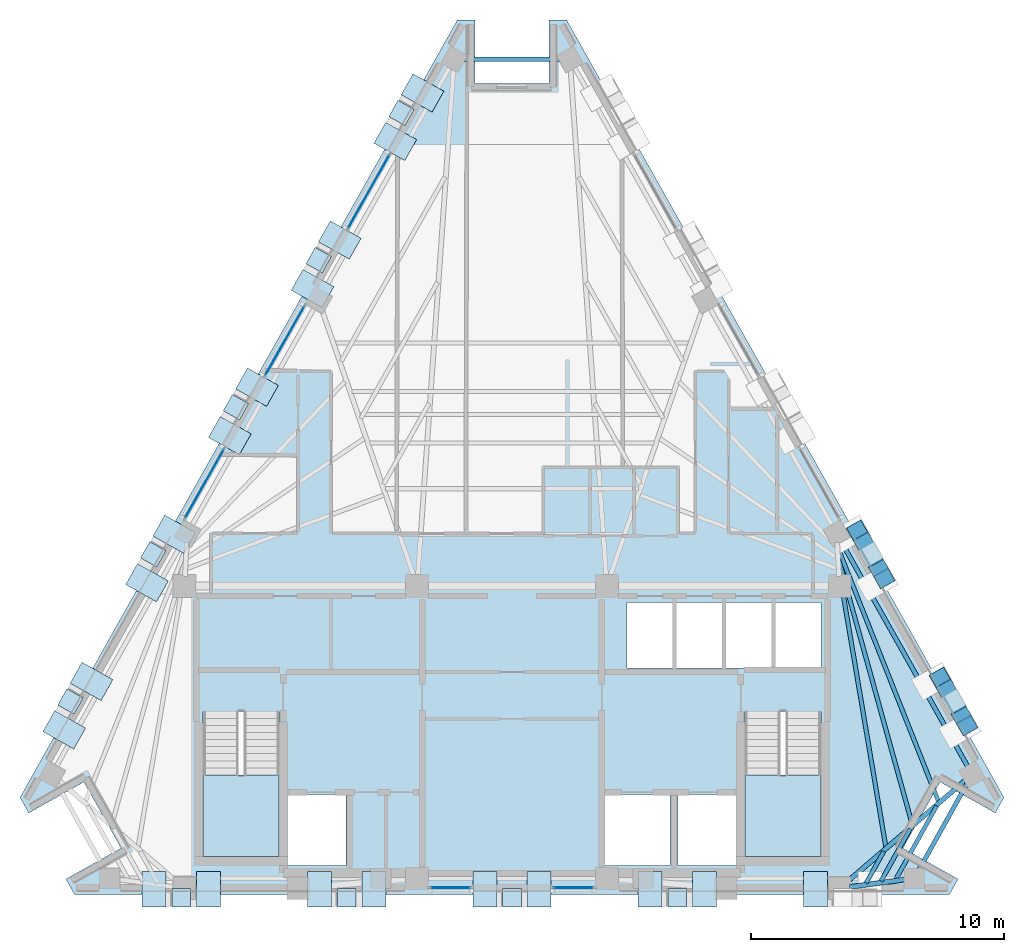
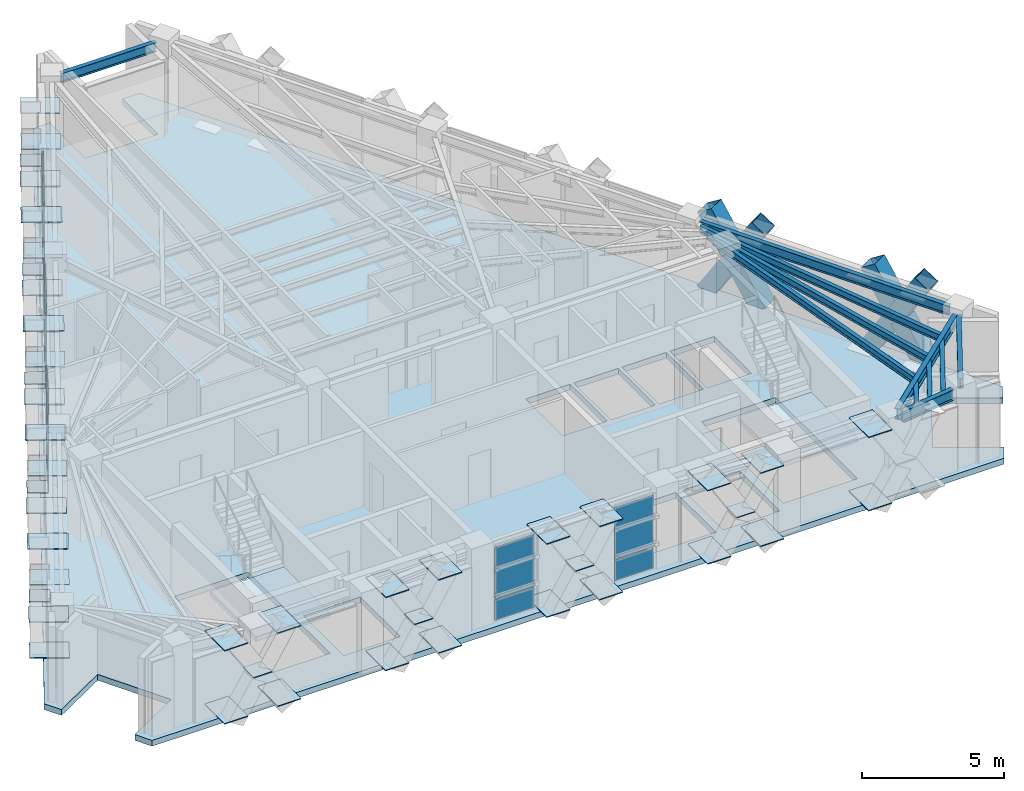
# One storey, part 5 of 10: 57 plates, 11 beams, 6 members, 3 slabs, 7 elements without a shape of their own.
"""IFC4 building model written with IfcOpenShell, lengths in metres."""

from ifc_helpers import new_model, si_unit, direction, frame, origin, origin_2d, place, context, subcontext, project, spatial, polyline, rectangle, hollow_rectangle, i_section, outline, extrude, material, layer, layer_set, material_profile, profile_set, type_object, element, aggregate, save


model = new_model("IFC4")

# Units and contexts
model_context = context("Model", 3, precision=1e-05, world=origin(), true_north=direction((0.0, 1.0)))
body_context = subcontext(model_context, "Body", "Model", "MODEL_VIEW")
ifc_project = project(units=[si_unit("LENGTHUNIT", "METRE"), si_unit("AREAUNIT", "SQUARE_METRE"), si_unit("VOLUMEUNIT", "CUBIC_METRE"), si_unit("PLANEANGLEUNIT", "RADIAN"), si_unit("MASSUNIT", "GRAM", prefix="KILO")], contexts=[model_context])

# Site, building, storey
site_placement = place(None, origin())
site = spatial("IfcSite", under=ifc_project, at=site_placement, CompositionType="ELEMENT")
building_placement = place(site_placement, origin())
building = spatial("IfcBuilding", under=site, at=building_placement, Name="Quenlor Broadcast Tower", CompositionType="ELEMENT")
storey_placement = place(building_placement, frame((0.0, 0.0, 232.39990234375)))
storey = spatial("IfcBuildingStorey", under=building, at=storey_placement, Name="L64", CompositionType="ELEMENT", Elevation=232.39990234375)

# Members
ifc_material_1 = material(Name="Steel S355", Category="steel")
ifc_material_profile_1 = material_profile(ifc_material_1, hollow_rectangle(XDim=0.679931640625, YDim=0.679931640625, WallThickness=0.02001953125, at=origin_2d()))
ifc_profile_set_1 = profile_set([ifc_material_profile_1], Name="Steel S355 RHS680x680x20")
member_type = type_object("IfcMemberType", Name="Perimeter Diagonal Lattice Brace Z5-Crown Steel S355 RHS680x20", PredefinedType="BRACE", material=ifc_profile_set_1)
member_1_placement = place(storey_placement, frame((13.635986328125, -2.5966796875, -0.119873046875), z_axis=(0.260563732169, -0.463283497491, 0.847038926161), x_axis=(0.871602253711, 0.49021374045, 0.0)))
element("IfcMember", 1, at=member_1_placement, inside=storey, type_object=member_type, Name="L64 Perimeter Diamond Lattice NE-C4XA", PredefinedType="BRACE", context=body_context, shape_type="SweptSolid", body=[
    extrude(hollow_rectangle(XDim=0.679931640625, YDim=0.679931640625, WallThickness=0.02001953125, at=origin_2d()), origin(), (0.0, 0.0, 1.0), 4.132080078125),
])
member_2_placement = place(storey_placement, frame((14.712646484375, -4.510986328125, -0.119873046875), z_axis=(-0.260577404715, 0.463203900539, 0.847078250622), x_axis=(-0.871555267041, -0.490297273593, 0.0)))
element("IfcMember", 2, at=member_2_placement, inside=storey, type_object=member_type, Name="L64 Perimeter Diamond Lattice NE-C4XB1", PredefinedType="BRACE", context=body_context, shape_type="SweptSolid", body=[
    extrude(hollow_rectangle(XDim=0.679931640625, YDim=0.679931640625, WallThickness=0.02001953125, at=origin_2d()), origin(), (0.0, 0.0, 1.0), 1.815673828125),
])
member_3_placement = place(storey_placement, frame((14.109130859375, -3.43798828125, 1.841796875), z_axis=(-0.260531504538, 0.463256741299, 0.847063472701), x_axis=(-0.871616063886, -0.490189185087, 0.0)))
element("IfcMember", 3, at=member_3_placement, inside=storey, type_object=member_type, Name="L64 Perimeter Diamond Lattice NE-C4XB2", PredefinedType="BRACE", context=body_context, shape_type="SweptSolid", body=[
    extrude(hollow_rectangle(XDim=0.679931640625, YDim=0.679931640625, WallThickness=0.02001953125, at=origin_2d()), origin(), (0.0, 0.0, 1.0), 1.816162109375),
])
member_4_placement = place(storey_placement, frame((16.905517578125, -8.40966796875, -0.119873046875), z_axis=(0.260618804175, -0.463276364439, 0.847025884529), x_axis=(0.8715547569, 0.490298180422, 0.0)))
element("IfcMember", 4, at=member_4_placement, inside=storey, type_object=member_type, Name="L64 Perimeter Diamond Lattice NE-C5XA", PredefinedType="BRACE", context=body_context, shape_type="SweptSolid", body=[
    extrude(hollow_rectangle(XDim=0.679931640625, YDim=0.679931640625, WallThickness=0.02001953125, at=origin_2d()), origin(), (0.0, 0.0, 1.0), 4.132080078125),
])
member_5_placement = place(storey_placement, frame((17.982421875, -10.323974609375, -0.119873046875), z_axis=(-0.26068648878, 0.463293264743, 0.846995811921), x_axis=(-0.871507987664, -0.490381308207, 0.0)))
element("IfcMember", 5, at=member_5_placement, inside=storey, type_object=member_type, Name="L64 Perimeter Diamond Lattice NE-C5XB1", PredefinedType="BRACE", context=body_context, shape_type="SweptSolid", body=[
    extrude(hollow_rectangle(XDim=0.679931640625, YDim=0.679931640625, WallThickness=0.02001953125, at=origin_2d()), origin(), (0.0, 0.0, 1.0), 1.81591796875),
])
member_6_placement = place(storey_placement, frame((17.37890625, -9.2509765625, 1.841796875), z_axis=(-0.260656806259, 0.463240512825, 0.847033798988), x_axis=(-0.871507987664, -0.490381308207, 0.0)))
element("IfcMember", 6, at=member_6_placement, inside=storey, type_object=member_type, Name="L64 Perimeter Diamond Lattice NE-C5XB2", PredefinedType="BRACE", context=body_context, shape_type="SweptSolid", body=[
    extrude(hollow_rectangle(XDim=0.679931640625, YDim=0.679931640625, WallThickness=0.02001953125, at=origin_2d()), origin(), (0.0, 0.0, 1.0), 1.816162109375),
])

# Beams
ifc_material_2 = material(Name="Steel S355", Category="steel")
ifc_material_profile_2 = material_profile(ifc_material_2, i_section(OverallWidth=0.177978515625, OverallDepth=0.406494140625, WebThickness=0.0078125, FlangeThickness=0.0126953125, FilletRadius=0.011474609375, at=origin_2d()))
ifc_profile_set_2 = profile_set([ifc_material_profile_2], Name="Steel S355 410UB59.7")
beam_type_1 = type_object("IfcBeamType", Name="Perimeter Spandrel Beam Z5 Steel S355 410UB59.7", PredefinedType="SPANDREL", material=ifc_profile_set_2)
beam_1_placement = place(storey_placement, frame((16.07275390625, -16.035400390625, 3.046875), z_axis=(0.486800618374, 0.873513112638, 0.0), x_axis=(-0.873513112638, 0.486800618374, 0.0)))
element("IfcBeam", 7, at=beam_1_placement, inside=storey, type_object=beam_type_1, Name="L64 Spandrel Beam S4-NE1", PredefinedType="SPANDREL", context=body_context, shape_type="SweptSolid", body=[
    extrude(i_section(OverallWidth=0.177978515625, OverallDepth=0.406494140625, WebThickness=0.0078125, FlangeThickness=0.0126953125, FilletRadius=0.011474609375, at=origin_2d()), origin(), (0.0, 0.0, 1.0), 3.9736328125),
])
beam_2_placement = place(storey_placement, frame((18.005859375, -11.93603515625, 3.046875), z_axis=(-0.490274867878, 0.871567871096, 0.0), x_axis=(-0.871567871096, -0.490274867878, 0.0)))
element("IfcBeam", 8, at=beam_2_placement, inside=storey, type_object=beam_type_1, Name="L64 Spandrel Beam NE1-NE2", PredefinedType="SPANDREL", context=body_context, shape_type="SweptSolid", body=[
    extrude(i_section(OverallWidth=0.177978515625, OverallDepth=0.406494140625, WebThickness=0.0078125, FlangeThickness=0.0126953125, FilletRadius=0.011474609375, at=origin_2d()), origin(), (0.0, 0.0, 1.0), 10.206298828125),
])
beam_3_placement = place(storey_placement, frame((1.9248046875, 16.012451171875, 3.046875), z_axis=(-1.0, 0.0, 0.0), x_axis=(0.0, -1.0, 0.0)))
element("IfcBeam", 9, at=beam_3_placement, inside=storey, type_object=beam_type_1, Name="L64 Spandrel Beam NE4-NW1", PredefinedType="SPANDREL", context=body_context, shape_type="SweptSolid", body=[
    extrude(i_section(OverallWidth=0.177978515625, OverallDepth=0.406494140625, WebThickness=0.0078125, FlangeThickness=0.0126953125, FilletRadius=0.011474609375, at=origin_2d()), origin(), (0.0, 0.0, 1.0), 3.849609375),
])
ifc_material_3 = material(Name="Steel S355", Category="steel")
ifc_material_profile_3 = material_profile(ifc_material_3, i_section(OverallWidth=0.166015625, OverallDepth=0.30712890625, WebThickness=0.006591796875, FlangeThickness=0.01171875, FilletRadius=0.011474609375, at=origin_2d()))
ifc_profile_set_3 = profile_set([ifc_material_profile_3], Name="Steel S355 310UB46.2")
beam_type_2 = type_object("IfcBeamType", Name="Tower Composite Joist Z4-Z5 Steel S355 310UB46.2", PredefinedType="JOIST", material=ifc_profile_set_3)
beam_4_placement = place(storey_placement, frame((14.76806640625, -15.09619140625, 3.096435546875), z_axis=(-0.166553293246, 0.986032454085, 0.0), x_axis=(-0.986032454085, -0.166553293246, 0.0)))
element("IfcBeam", 10, at=beam_4_placement, inside=storey, type_object=beam_type_2, Name="L64 Secondary Composite Joist 16", PredefinedType="JOIST", context=body_context, shape_type="SweptSolid", body=[
    extrude(i_section(OverallWidth=0.166015625, OverallDepth=0.30712890625, WebThickness=0.006591796875, FlangeThickness=0.01171875, FilletRadius=0.011474609375, at=origin_2d()), origin(), (0.0, 0.0, 1.0), 11.097900390625),
])
beam_5_placement = place(storey_placement, frame((15.806396484375, -14.197998046875, 3.096435546875), z_axis=(-0.26744552871, 0.96357298072, 0.0), x_axis=(-0.96357298072, -0.26744552871, 0.0)))
element("IfcBeam", 11, at=beam_5_placement, inside=storey, type_object=beam_type_2, Name="L64 Secondary Composite Joist 17", PredefinedType="JOIST", context=body_context, shape_type="SweptSolid", body=[
    extrude(i_section(OverallWidth=0.166015625, OverallDepth=0.30712890625, WebThickness=0.006591796875, FlangeThickness=0.01171875, FilletRadius=0.011474609375, at=origin_2d()), origin(), (0.0, 0.0, 1.0), 10.856689453125),
])
beam_6_placement = place(storey_placement, frame((16.8447265625, -13.300537109375, 3.096435546875), z_axis=(-0.368680258049, 0.929556274426, 0.0), x_axis=(-0.929556274426, -0.368680258049, 0.0)))
element("IfcBeam", 12, at=beam_6_placement, inside=storey, type_object=beam_type_2, Name="L64 Secondary Composite Joist 18", PredefinedType="JOIST", context=body_context, shape_type="SweptSolid", body=[
    extrude(i_section(OverallWidth=0.166015625, OverallDepth=0.30712890625, WebThickness=0.006591796875, FlangeThickness=0.01171875, FilletRadius=0.011474609375, at=origin_2d()), origin(), (0.0, 0.0, 1.0), 10.737548828125),
])
beam_7_placement = place(storey_placement, frame((13.9912109375, -16.544189453125, 3.096435546875), z_axis=(0.486624304452, 0.873611347406, 0.0), x_axis=(-0.873611347406, 0.486624304452, 0.0)))
element("IfcBeam", 13, at=beam_7_placement, inside=storey, type_object=beam_type_2, Name="L64 Secondary Composite Joist 22", PredefinedType="JOIST", context=body_context, shape_type="SweptSolid", body=[
    extrude(i_section(OverallWidth=0.166015625, OverallDepth=0.30712890625, WebThickness=0.006591796875, FlangeThickness=0.01171875, FilletRadius=0.011474609375, at=origin_2d()), origin(), (0.0, 0.0, 1.0), 1.435791015625),
])
beam_8_placement = place(storey_placement, frame((14.58056640625, -16.464111328125, 3.096435546875), z_axis=(0.486820963037, 0.873501774439, 0.0), x_axis=(-0.873501774439, 0.486820963037, 0.0)))
element("IfcBeam", 14, at=beam_8_placement, inside=storey, type_object=beam_type_2, Name="L64 Secondary Composite Joist 23", PredefinedType="JOIST", context=body_context, shape_type="SweptSolid", body=[
    extrude(i_section(OverallWidth=0.166015625, OverallDepth=0.30712890625, WebThickness=0.006591796875, FlangeThickness=0.01171875, FilletRadius=0.011474609375, at=origin_2d()), origin(), (0.0, 0.0, 1.0), 2.37451171875),
])
beam_9_placement = place(storey_placement, frame((15.170166015625, -16.384033203125, 3.096435546875), z_axis=(0.486762404011, 0.873534408046, 0.0), x_axis=(-0.873534408046, 0.486762404011, 0.0)))
element("IfcBeam", 15, at=beam_9_placement, inside=storey, type_object=beam_type_2, Name="L64 Secondary Composite Joist 24", PredefinedType="JOIST", context=body_context, shape_type="SweptSolid", body=[
    extrude(i_section(OverallWidth=0.166015625, OverallDepth=0.30712890625, WebThickness=0.006591796875, FlangeThickness=0.01171875, FilletRadius=0.011474609375, at=origin_2d()), origin(), (0.0, 0.0, 1.0), 3.313232421875),
])
ifc_material_4 = material(Name="Steel S355", Category="steel")
ifc_material_profile_4 = material_profile(ifc_material_4, i_section(OverallWidth=0.19091796875, OverallDepth=0.46044921875, WebThickness=0.010009765625, FlangeThickness=0.01611328125, FilletRadius=0.011474609375, at=origin_2d()))
ifc_profile_set_4 = profile_set([ifc_material_profile_4], Name="Steel S355 460UB82.1")
beam_type_3 = type_object("IfcBeamType", Name="Tower Primary Floor Beam Z5 Steel S355 460UB82.1", PredefinedType="BEAM", material=ifc_profile_set_4)
beam_10_placement = place(storey_placement, frame((15.541015625, -16.3984375, 3.02001953125), z_axis=(-0.990917044125, -0.134474576267, 0.0), x_axis=(0.134474576267, -0.990917044125, 0.0)))
element("IfcBeam", 16, at=beam_10_placement, inside=storey, type_object=beam_type_3, Name="L64 Primary Radial Beam S4", PredefinedType="BEAM", context=body_context, shape_type="SweptSolid", body=[
    extrude(i_section(OverallWidth=0.19091796875, OverallDepth=0.46044921875, WebThickness=0.010009765625, FlangeThickness=0.01611328125, FilletRadius=0.011474609375, at=origin_2d()), origin(), (0.0, 0.0, 1.0), 2.23486328125),
])
beam_11_placement = place(storey_placement, frame((17.909423828125, -12.484619140625, 3.02001953125), z_axis=(-0.75817030855, -0.652056579779, 0.0), x_axis=(0.652056579779, -0.75817030855, 0.0)))
element("IfcBeam", 17, at=beam_11_placement, inside=storey, type_object=beam_type_3, Name="L64 Primary Radial Beam NE1", PredefinedType="BEAM", context=body_context, shape_type="SweptSolid", body=[
    extrude(i_section(OverallWidth=0.19091796875, OverallDepth=0.46044921875, WebThickness=0.010009765625, FlangeThickness=0.01611328125, FilletRadius=0.011474609375, at=origin_2d()), origin(), (0.0, 0.0, 1.0), 6.161376953125),
])

# Curtain wall, plates
ifc_material_5 = material(Name="Architectural Terracotta and Low-E Glazing", Category="masonry")
curtain_wall_type = type_object("IfcCurtainWallType", Name="Unitised Terracotta Curtain Wall System Z5", PredefinedType="NOTDEFINED", material=ifc_material_5)
curtain_wall_1_placement = place(storey_placement, origin())
curtain_wall_1 = element("IfcCurtainWall", 18, at=curtain_wall_1_placement, inside=storey, type_object=curtain_wall_type, Name="L64 Curtain Wall CW5 (L64-S-G1)", PredefinedType="NOTDEFINED")
ifc_material_6 = material(Name="Double Glazed Low-E Solar Glass", Category="glass")
ifc_layer_1 = layer(ifc_material_6, 0.02587890625)
ifc_layer_set_1 = layer_set([ifc_layer_1], Name="CW5 Double Glazed Vision Panel 26")
plate_type_1 = type_object("IfcPlateType", Name="CW5 Double Glazed Vision Panel 26", PredefinedType="CURTAIN_PANEL", material=ifc_layer_set_1)
plate_1_placement = place(storey_placement, frame((2.42578125, -16.72509765625, 0.065185546875), z_axis=(0.0, 0.0, 1.0), x_axis=(-1.0, 0.0, 0.0)))
plate_1 = element("IfcPlate", 19, at=plate_1_placement, type_object=plate_type_1, Name="CW5 panel 1.1", PredefinedType="CURTAIN_PANEL", context=body_context, shape_type="SweptSolid", body=[
    extrude(rectangle(XDim=1.578369140625, YDim=0.02587890625, at=origin_2d()), origin(), (0.0, 0.0, 1.0), 0.8525390625),
])
plate_2_placement = place(storey_placement, frame((2.42578125, -16.72509765625, 0.982421875), z_axis=(0.0, 0.0, 1.0), x_axis=(-1.0, 0.0, 0.0)))
plate_2 = element("IfcPlate", 20, at=plate_2_placement, type_object=plate_type_1, Name="CW5 panel 1.2", PredefinedType="CURTAIN_PANEL", context=body_context, shape_type="SweptSolid", body=[
    extrude(rectangle(XDim=1.578369140625, YDim=0.02587890625, at=origin_2d()), origin(), (0.0, 0.0, 1.0), 2.202392578125),
])
aggregate(curtain_wall_1, [plate_1, plate_2])

curtain_wall_2_placement = place(storey_placement, origin())
curtain_wall_2 = element("IfcCurtainWall", 21, at=curtain_wall_2_placement, inside=storey, type_object=curtain_wall_type, Name="L64 Curtain Wall CW5 (L64-S-G2)", PredefinedType="NOTDEFINED")
plate_3_placement = place(storey_placement, frame((-2.42578125, -16.72509765625, 0.065185546875), z_axis=(0.0, 0.0, 1.0), x_axis=(-1.0, 0.0, 0.0)))
plate_3 = element("IfcPlate", 22, at=plate_3_placement, type_object=plate_type_1, Name="CW5 panel 1.1", PredefinedType="CURTAIN_PANEL", context=body_context, shape_type="SweptSolid", body=[
    extrude(rectangle(XDim=1.578369140625, YDim=0.02587890625, at=origin_2d()), origin(), (0.0, 0.0, 1.0), 0.8525390625),
])
plate_4_placement = place(storey_placement, frame((-2.42578125, -16.72509765625, 0.982421875), z_axis=(0.0, 0.0, 1.0), x_axis=(-1.0, 0.0, 0.0)))
plate_4 = element("IfcPlate", 23, at=plate_4_placement, type_object=plate_type_1, Name="CW5 panel 1.2", PredefinedType="CURTAIN_PANEL", context=body_context, shape_type="SweptSolid", body=[
    extrude(rectangle(XDim=1.578369140625, YDim=0.02587890625, at=origin_2d()), origin(), (0.0, 0.0, 1.0), 2.202392578125),
])
aggregate(curtain_wall_2, [plate_3, plate_4])

curtain_wall_3_placement = place(storey_placement, origin())
curtain_wall_3 = element("IfcCurtainWall", 24, at=curtain_wall_3_placement, inside=storey, type_object=curtain_wall_type, Name="L64 Curtain Wall CW5 (L64-NWC-G1)", PredefinedType="NOTDEFINED")
plate_5_placement = place(storey_placement, frame((-5.65576171875, 10.784423828125, 0.065185546875), z_axis=(0.0, 0.0, 1.0), x_axis=(0.490250335582, 0.871581670563, 0.0)))
plate_5 = element("IfcPlate", 25, at=plate_5_placement, type_object=plate_type_1, Name="CW5 panel 1.1", PredefinedType="CURTAIN_PANEL", context=body_context, shape_type="SweptSolid", body=[
    extrude(rectangle(XDim=3.353271484375, YDim=0.02587890625, at=origin_2d()), origin(), (0.0, 0.0, 1.0), 0.8525390625),
])
plate_6_placement = place(storey_placement, frame((-5.65576171875, 10.784423828125, 0.982421875), z_axis=(0.0, 0.0, 1.0), x_axis=(0.490250335582, 0.871581670563, 0.0)))
plate_6 = element("IfcPlate", 26, at=plate_6_placement, type_object=plate_type_1, Name="CW5 panel 1.2", PredefinedType="CURTAIN_PANEL", context=body_context, shape_type="SweptSolid", body=[
    extrude(rectangle(XDim=3.353271484375, YDim=0.02587890625, at=origin_2d()), origin(), (0.0, 0.0, 1.0), 2.202392578125),
])
aggregate(curtain_wall_3, [plate_5, plate_6])

curtain_wall_4_placement = place(storey_placement, origin())
curtain_wall_4 = element("IfcCurtainWall", 27, at=curtain_wall_4_placement, inside=storey, type_object=curtain_wall_type, Name="L64 Curtain Wall CW5 (L64-NW-G1)", PredefinedType="NOTDEFINED")
plate_7_placement = place(storey_placement, frame((-12.143798828125, -0.75, 0.065185546875), z_axis=(0.0, 0.0, 1.0), x_axis=(0.490262689797, 0.871574721405, 0.0)))
plate_7 = element("IfcPlate", 28, at=plate_7_placement, type_object=plate_type_1, Name="CW5 panel 1.1", PredefinedType="CURTAIN_PANEL", context=body_context, shape_type="SweptSolid", body=[
    extrude(rectangle(XDim=3.14404296875, YDim=0.02587890625, at=origin_2d()), origin(), (0.0, 0.0, 1.0), 0.8525390625),
])
plate_8_placement = place(storey_placement, frame((-12.143798828125, -0.75, 0.982421875), z_axis=(0.0, 0.0, 1.0), x_axis=(0.490262689797, 0.871574721405, 0.0)))
plate_8 = element("IfcPlate", 29, at=plate_8_placement, type_object=plate_type_1, Name="CW5 panel 1.2", PredefinedType="CURTAIN_PANEL", context=body_context, shape_type="SweptSolid", body=[
    extrude(rectangle(XDim=3.14404296875, YDim=0.02587890625, at=origin_2d()), origin(), (0.0, 0.0, 1.0), 2.202392578125),
])
aggregate(curtain_wall_4, [plate_7, plate_8])

curtain_wall_5_placement = place(storey_placement, origin())
curtain_wall_5 = element("IfcCurtainWall", 30, at=curtain_wall_5_placement, inside=storey, type_object=curtain_wall_type, Name="L64 Curtain Wall CW5 (L64-NW-G2)", PredefinedType="NOTDEFINED")
plate_9_placement = place(storey_placement, frame((-8.976806640625, 4.88037109375, 0.065185546875), z_axis=(0.0, 0.0, 1.0), x_axis=(0.490262689797, 0.871574721405, 0.0)))
plate_9 = element("IfcPlate", 31, at=plate_9_placement, type_object=plate_type_1, Name="CW5 panel 1.1", PredefinedType="CURTAIN_PANEL", context=body_context, shape_type="SweptSolid", body=[
    extrude(rectangle(XDim=3.14404296875, YDim=0.02587890625, at=origin_2d()), origin(), (0.0, 0.0, 1.0), 0.8525390625),
])
plate_10_placement = place(storey_placement, frame((-8.976806640625, 4.88037109375, 0.982421875), z_axis=(0.0, 0.0, 1.0), x_axis=(0.490262689797, 0.871574721405, 0.0)))
plate_10 = element("IfcPlate", 32, at=plate_10_placement, type_object=plate_type_1, Name="CW5 panel 1.2", PredefinedType="CURTAIN_PANEL", context=body_context, shape_type="SweptSolid", body=[
    extrude(rectangle(XDim=3.14404296875, YDim=0.02587890625, at=origin_2d()), origin(), (0.0, 0.0, 1.0), 2.202392578125),
])
aggregate(curtain_wall_5, [plate_9, plate_10])

# Plates
ifc_material_7 = material(Name="Steel S355", Category="steel")
ifc_layer_2 = layer(ifc_material_7, 0.028076171875)
ifc_layer_set_2 = layer_set([ifc_layer_2], Name="Perimeter Lattice Node Steel S355 Cap Plate 740x740x28")
plate_type_2 = type_object("IfcPlateType", Name="Perimeter Lattice Node Steel S355 Cap Plate 740x740x28", PredefinedType="USERDEFINED", material=ifc_layer_set_2)
for number, where, z_axis, x_axis, name in (
    (33, (6.531982421875, -17.1201171875, 1.6162109375), (0.0, 0.0, 1.0), (-1.0, 0.0, 0.0), "L64 Diamond Lattice Crossing Node S-C2"),
    (34, (0.0, -17.1201171875, 1.6162109375), (0.0, 0.0, 1.0), (-1.0, 0.0, 0.0), "L64 Diamond Lattice Crossing Node S-C3"),
    (35, (-6.531982421875, -17.1201171875, 1.6162109375), (0.0, 0.0, 1.0), (-1.0, 0.0, 0.0), "L64 Diamond Lattice Crossing Node S-C4"),
    (36, (-13.06396484375, -17.1201171875, 1.6162109375), (0.0, 0.0, 1.0), (-1.0, 0.0, 0.0), "L64 Diamond Lattice Crossing Node S-C5"),
    (37, (-17.444091796875, -9.36669921875, 1.6162109375), (0.0, 0.0, 1.0), (0.490295412055, 0.871556314255, 0.0), "L64 Diamond Lattice Crossing Node NW-C1"),
    (38, (-14.17431640625, -3.553955078125, 1.6162109375), (0.0, 0.0, 1.0), (0.490295412055, 0.871556314255, 0.0), "L64 Diamond Lattice Crossing Node NW-C2"),
    (39, (-10.904541015625, 2.2587890625, 1.6162109375), (0.0, 0.0, 1.0), (0.490295412055, 0.871556314255, 0.0), "L64 Diamond Lattice Crossing Node NW-C3"),
    (40, (-7.635009765625, 8.071533203125, 1.6162109375), (0.0, 0.0, 1.0), (0.490295412055, 0.871556314255, 0.0), "L64 Diamond Lattice Crossing Node NW-C4"),
    (41, (-4.365234375, 13.884521484375, 1.6162109375), (0.0, 0.0, 1.0), (0.490295412055, 0.871556314255, 0.0), "L64 Diamond Lattice Crossing Node NW-C5"),
):
    element("IfcPlate", number, at=place(storey_placement, frame(where, z_axis=z_axis, x_axis=x_axis)), inside=storey, type_object=plate_type_2, Name=name, ObjectType="CAP PLATE", PredefinedType="USERDEFINED", context=body_context, shape_type="SweptSolid", body=[
        extrude(rectangle(XDim=0.739990234375, YDim=0.739990234375, at=origin_2d()), origin(), (0.0, 0.0, 1.0), 0.028076171875),
    ])

# Stair, slab
ifc_material_8 = material(Name="Precast concrete C40/50", Category="concrete")
stair_type = type_object("IfcStairType", Name="Precast Concrete C40/50 Dogleg Stair H350", PredefinedType="HALF_TURN_STAIR", material=ifc_material_8)
stair_1_placement = place(storey_placement, origin())
stair_1 = element("IfcStair", 42, at=stair_1_placement, inside=storey, type_object=stair_type, Name="L64 West Core Fire-Isolated Exit Stair ST-1", PredefinedType="HALF_TURN_STAIR")
ifc_material_9 = material(Name="Precast concrete C40/50", Category="concrete")
ifc_layer_3 = layer(ifc_material_9, 0.199951171875)
ifc_layer_set_3 = layer_set([ifc_layer_3], Name="Precast Concrete C40/50 Stair Landing Slab 200")
slab_type_1 = type_object("IfcSlabType", Name="Precast Concrete C40/50 Stair Landing Slab 200", PredefinedType="LANDING", material=ifc_layer_set_3)
slab_1_placement = place(storey_placement, frame((0.0, 0.0, 1.550048828125)))
slab_1 = element("IfcSlab", 43, at=slab_1_placement, type_object=slab_type_1, Name="ST-1 landing 1", PredefinedType="LANDING", context=body_context, shape_type="SweptSolid", body=[
    extrude(outline(polyline([(-12.199951171875, -12.27001953125), (-12.199951171875, -15.5), (-9.199951171875, -15.5), (-9.199951171875, -12.27001953125), (-12.199951171875, -12.27001953125)])), origin(), (0.0, 0.0, 1.0), 0.199951171875),
])
aggregate(stair_1, [slab_1])

stair_2_placement = place(storey_placement, origin())
stair_2 = element("IfcStair", 44, at=stair_2_placement, inside=storey, type_object=stair_type, Name="L64 East Core Fire-Isolated Exit Stair ST-2", PredefinedType="HALF_TURN_STAIR")
slab_2_placement = place(storey_placement, frame((0.0, 0.0, 1.550048828125)))
slab_2 = element("IfcSlab", 45, at=slab_2_placement, type_object=slab_type_1, Name="ST-2 landing 1", PredefinedType="LANDING", context=body_context, shape_type="SweptSolid", body=[
    extrude(outline(polyline([(9.199951171875, -12.27001953125), (9.199951171875, -15.5), (12.199951171875, -15.5), (12.199951171875, -12.27001953125), (9.199951171875, -12.27001953125)])), origin(), (0.0, 0.0, 1.0), 0.199951171875),
])
aggregate(stair_2, [slab_2])

# Slab
ifc_material_10 = material(Name="Concrete C40/50", Category="concrete")
ifc_layer_4 = layer(ifc_material_10, 0.25)
ifc_layer_set_4 = layer_set([ifc_layer_4], Name="Tower Composite Concrete C40/50 Slab 250")
slab_type_2 = type_object("IfcSlabType", Name="Tower Composite Concrete C40/50 Slab 250", PredefinedType="FLOOR", material=ifc_layer_set_4)
slab_3_placement = place(storey_placement, frame((0.0, 0.0, -0.25)))
element("IfcSlab", 46, at=slab_3_placement, inside=storey, type_object=slab_type_2, Name="L64 Structural Floor Slab", PredefinedType="FLOOR", context=body_context, shape_type="SweptSolid", body=[
    extrude(outline(polyline([(17.280029296875, -17.0), (17.62548828125, -16.385498046875), (15.44677734375, -15.159912109375), (16.91552734375, -12.548583984375), (19.094482421875, -13.7744140625), (19.43994140625, -13.159912109375), (2.159912109375, 17.56005859375), (1.46875, 17.56005859375), (1.46875, 15.06005859375), (-1.46875, 15.06005859375), (-1.46875, 17.56005859375), (-2.159912109375, 17.56005859375), (-19.43994140625, -13.159912109375), (-19.094482421875, -13.7744140625), (-16.91552734375, -12.548583984375), (-15.44677734375, -15.159912109375), (-17.62548828125, -16.385498046875), (-17.280029296875, -17.0), (17.280029296875, -17.0)]), holes=[polyline([(-12.199951171875, -9.758056640625), (-12.199951171875, -15.5), (-9.199951171875, -15.5), (-9.199951171875, -9.758056640625), (-12.199951171875, -9.758056640625)]), polyline([(9.199951171875, -9.758056640625), (9.199951171875, -15.5), (12.199951171875, -15.5), (12.199951171875, -9.758056640625), (9.199951171875, -9.758056640625)]), polyline([(4.550048828125, -8.050048828125), (6.35009765625, -8.050048828125), (6.35009765625, -5.449951171875), (4.550048828125, -5.449951171875), (4.550048828125, -8.050048828125)]), polyline([(6.5, -8.050048828125), (8.300048828125, -8.050048828125), (8.300048828125, -5.449951171875), (6.5, -5.449951171875), (6.5, -8.050048828125)]), polyline([(8.449951171875, -8.050048828125), (10.25, -8.050048828125), (10.25, -5.449951171875), (8.449951171875, -5.449951171875), (8.449951171875, -8.050048828125)]), polyline([(10.39990234375, -8.050048828125), (12.199951171875, -8.050048828125), (12.199951171875, -5.449951171875), (10.39990234375, -5.449951171875), (10.39990234375, -8.050048828125)]), polyline([(-8.85009765625, -15.85009765625), (-6.550048828125, -15.85009765625), (-6.550048828125, -13.050048828125), (-8.85009765625, -13.050048828125), (-8.85009765625, -15.85009765625)]), polyline([(6.550048828125, -15.85009765625), (8.85009765625, -15.85009765625), (8.85009765625, -13.050048828125), (6.550048828125, -13.050048828125), (6.550048828125, -15.85009765625)]), polyline([(3.64990234375, -15.85009765625), (6.25, -15.85009765625), (6.25, -13.050048828125), (3.64990234375, -13.050048828125), (3.64990234375, -15.85009765625)])]), origin(), (0.0, 0.0, 1.0), 0.25),
])

# Plates
ifc_material_11 = material(Name="Steel S355", Category="steel")
ifc_layer_5 = layer(ifc_material_11, 0.035888671875)
ifc_layer_set_5 = layer_set([ifc_layer_5], Name="Transfer Truss Steel S355 Gusset Node Plate 1400x950x36")
plate_type_3 = type_object("IfcPlateType", Name="Transfer Truss Steel S355 Gusset Node Plate 1400x950x36", PredefinedType="SHEET", material=ifc_layer_set_5)
for number, where, z_axis, x_axis, name in (
    (47, (11.98828125, -16.784912109375, 3.18212890625), (0.0, 0.0, 1.0), (0.0, -1.0, 0.0), "L64 Lattice Tie Gusset Node S-T2"),
    (48, (11.98828125, -16.784912109375, 0.0419921875), (0.0, 0.0, 1.0), (0.0, -1.0, 0.0), "L64 Lattice Tie Gusset Node S-B2"),
    (49, (7.607666015625, -16.784912109375, 0.0419921875), (0.0, 0.0, 1.0), (0.0, -1.0, 0.0), "L64 Lattice Tie Gusset Node S-B4"),
    (50, (5.456298828125, -16.784912109375, 3.18212890625), (0.0, 0.0, 1.0), (0.0, -1.0, 0.0), "L64 Lattice Tie Gusset Node S-T5"),
    (51, (5.456298828125, -16.784912109375, 0.0419921875), (0.0, 0.0, 1.0), (0.0, -1.0, 0.0), "L64 Lattice Tie Gusset Node S-B5"),
    (52, (7.607666015625, -16.784912109375, 3.18212890625), (0.0, 0.0, 1.0), (0.0, -1.0, 0.0), "L64 Lattice Tie Gusset Node S-T4"),
    (53, (1.07568359375, -16.784912109375, 0.0419921875), (0.0, 0.0, 1.0), (0.0, -1.0, 0.0), "L64 Lattice Tie Gusset Node S-B7"),
    (54, (-1.07568359375, -16.784912109375, 3.18212890625), (0.0, 0.0, 1.0), (0.0, -1.0, 0.0), "L64 Lattice Tie Gusset Node S-T8"),
    (55, (-1.07568359375, -16.784912109375, 0.0419921875), (0.0, 0.0, 1.0), (0.0, -1.0, 0.0), "L64 Lattice Tie Gusset Node S-B8"),
    (56, (1.07568359375, -16.784912109375, 3.18212890625), (0.0, 0.0, 1.0), (0.0, -1.0, 0.0), "L64 Lattice Tie Gusset Node S-T7"),
    (57, (-5.456298828125, -16.784912109375, 0.0419921875), (0.0, 0.0, 1.0), (0.0, -1.0, 0.0), "L64 Lattice Tie Gusset Node S-B10"),
    (58, (-7.607666015625, -16.784912109375, 3.18212890625), (0.0, 0.0, 1.0), (0.0, -1.0, 0.0), "L64 Lattice Tie Gusset Node S-T11"),
    (59, (-7.607666015625, -16.784912109375, 0.0419921875), (0.0, 0.0, 1.0), (0.0, -1.0, 0.0), "L64 Lattice Tie Gusset Node S-B11"),
    (60, (-5.456298828125, -16.784912109375, 3.18212890625), (0.0, 0.0, 1.0), (0.0, -1.0, 0.0), "L64 Lattice Tie Gusset Node S-T10"),
    (61, (-11.98828125, -16.784912109375, 0.0419921875), (0.0, 0.0, 1.0), (0.0, -1.0, 0.0), "L64 Lattice Tie Gusset Node S-B13"),
    (62, (-14.1396484375, -16.784912109375, 3.18212890625), (0.0, 0.0, 1.0), (0.0, -1.0, 0.0), "L64 Lattice Tie Gusset Node S-T14"),
    (63, (-14.1396484375, -16.784912109375, 0.0419921875), (0.0, 0.0, 1.0), (0.0, -1.0, 0.0), "L64 Lattice Tie Gusset Node S-B14"),
    (64, (-11.98828125, -16.784912109375, 3.18212890625), (0.0, 0.0, 1.0), (0.0, -1.0, 0.0), "L64 Lattice Tie Gusset Node S-T13"),
    (65, (-17.6904296875, -10.48828125, 0.0419921875), (0.0, 0.0, 1.0), (-0.871556314255, 0.490295412055, 0.0), "L64 Lattice Tie Gusset Node NW-B1"),
    (66, (-16.613525390625, -8.57373046875, 3.18212890625), (0.0, 0.0, 1.0), (-0.871556314255, 0.490295412055, 0.0), "L64 Lattice Tie Gusset Node NW-T2"),
    (67, (-16.613525390625, -8.57373046875, 0.0419921875), (0.0, 0.0, 1.0), (-0.871556314255, 0.490295412055, 0.0), "L64 Lattice Tie Gusset Node NW-B2"),
    (68, (-17.6904296875, -10.48828125, 3.18212890625), (0.0, 0.0, 1.0), (-0.871556314255, 0.490295412055, 0.0), "L64 Lattice Tie Gusset Node NW-T1"),
    (69, (-14.420654296875, -4.67529296875, 0.0419921875), (0.0, 0.0, 1.0), (-0.871556314255, 0.490295412055, 0.0), "L64 Lattice Tie Gusset Node NW-B4"),
    (70, (-13.343994140625, -2.760986328125, 3.18212890625), (0.0, 0.0, 1.0), (-0.871556314255, 0.490295412055, 0.0), "L64 Lattice Tie Gusset Node NW-T5"),
    (71, (-13.343994140625, -2.760986328125, 0.0419921875), (0.0, 0.0, 1.0), (-0.871556314255, 0.490295412055, 0.0), "L64 Lattice Tie Gusset Node NW-B5"),
    (72, (-14.420654296875, -4.67529296875, 3.18212890625), (0.0, 0.0, 1.0), (-0.871556314255, 0.490295412055, 0.0), "L64 Lattice Tie Gusset Node NW-T4"),
    (73, (-11.15087890625, 1.137451171875, 0.0419921875), (0.0, 0.0, 1.0), (-0.871556314255, 0.490295412055, 0.0), "L64 Lattice Tie Gusset Node NW-B7"),
    (74, (-10.07421875, 3.0517578125, 3.18212890625), (0.0, 0.0, 1.0), (-0.871556314255, 0.490295412055, 0.0), "L64 Lattice Tie Gusset Node NW-T8"),
    (75, (-10.07421875, 3.0517578125, 0.0419921875), (0.0, 0.0, 1.0), (-0.871556314255, 0.490295412055, 0.0), "L64 Lattice Tie Gusset Node NW-B8"),
    (76, (-11.15087890625, 1.137451171875, 3.18212890625), (0.0, 0.0, 1.0), (-0.871556314255, 0.490295412055, 0.0), "L64 Lattice Tie Gusset Node NW-T7"),
    (77, (-7.88134765625, 6.9501953125, 0.0419921875), (0.0, 0.0, 1.0), (-0.871556314255, 0.490295412055, 0.0), "L64 Lattice Tie Gusset Node NW-B10"),
    (78, (-6.804443359375, 8.864501953125, 3.18212890625), (0.0, 0.0, 1.0), (-0.871556314255, 0.490295412055, 0.0), "L64 Lattice Tie Gusset Node NW-T11"),
    (79, (-6.804443359375, 8.864501953125, 0.0419921875), (0.0, 0.0, 1.0), (-0.871556314255, 0.490295412055, 0.0), "L64 Lattice Tie Gusset Node NW-B11"),
    (80, (-7.88134765625, 6.9501953125, 3.18212890625), (0.0, 0.0, 1.0), (-0.871556314255, 0.490295412055, 0.0), "L64 Lattice Tie Gusset Node NW-T10"),
    (81, (-4.611572265625, 12.762939453125, 0.0419921875), (0.0, 0.0, 1.0), (-0.871556314255, 0.490295412055, 0.0), "L64 Lattice Tie Gusset Node NW-B13"),
    (82, (-3.534912109375, 14.677490234375, 3.18212890625), (0.0, 0.0, 1.0), (-0.871556314255, 0.490295412055, 0.0), "L64 Lattice Tie Gusset Node NW-T14"),
    (83, (-3.534912109375, 14.677490234375, 0.0419921875), (0.0, 0.0, 1.0), (-0.871556314255, 0.490295412055, 0.0), "L64 Lattice Tie Gusset Node NW-B14"),
    (84, (-4.611572265625, 12.762939453125, 3.18212890625), (0.0, 0.0, 1.0), (-0.871556314255, 0.490295412055, 0.0), "L64 Lattice Tie Gusset Node NW-T13"),
):
    element("IfcPlate", number, at=place(storey_placement, frame(where, z_axis=z_axis, x_axis=x_axis)), inside=storey, type_object=plate_type_3, Name=name, PredefinedType="SHEET", context=body_context, shape_type="SweptSolid", body=[
        extrude(rectangle(XDim=1.39990234375, YDim=0.949951171875, at=origin_2d()), origin(), (0.0, 0.0, 1.0), 0.035888671875),
    ])

save(model, "model.ifc")
